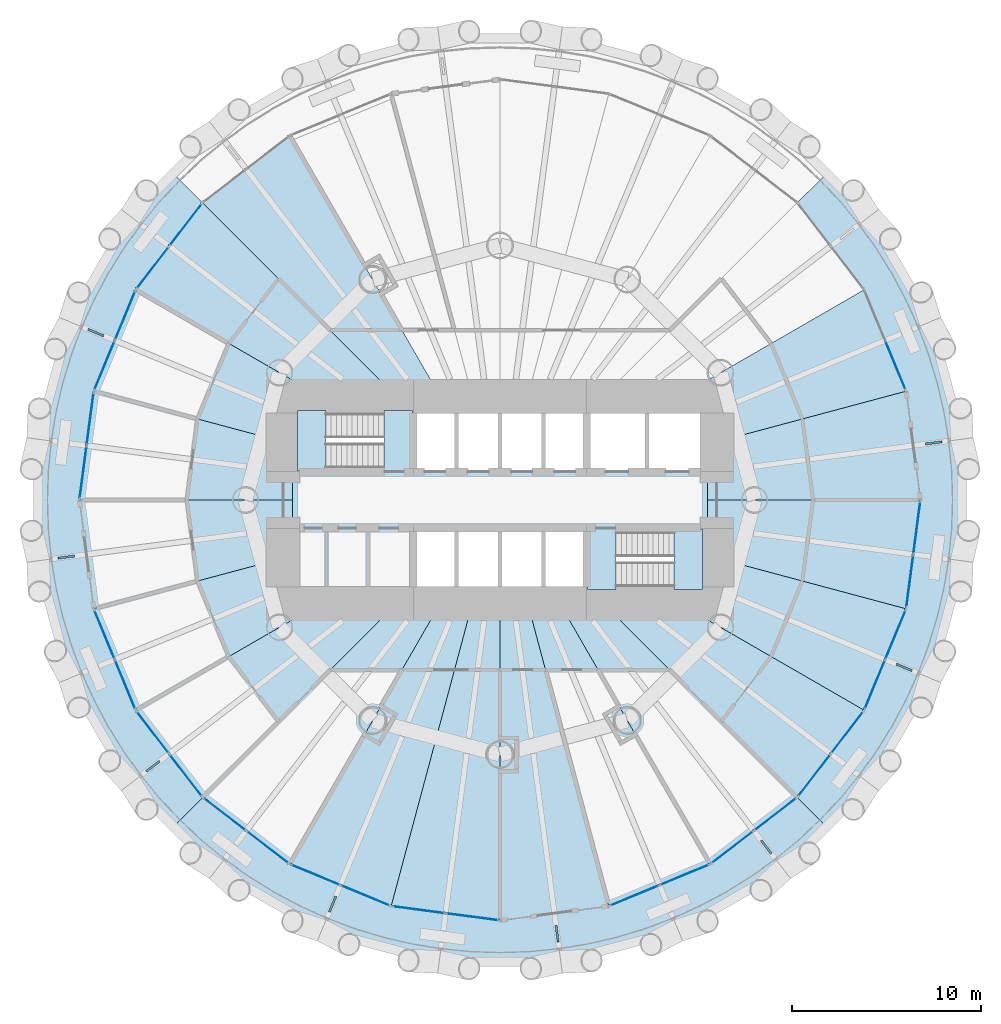
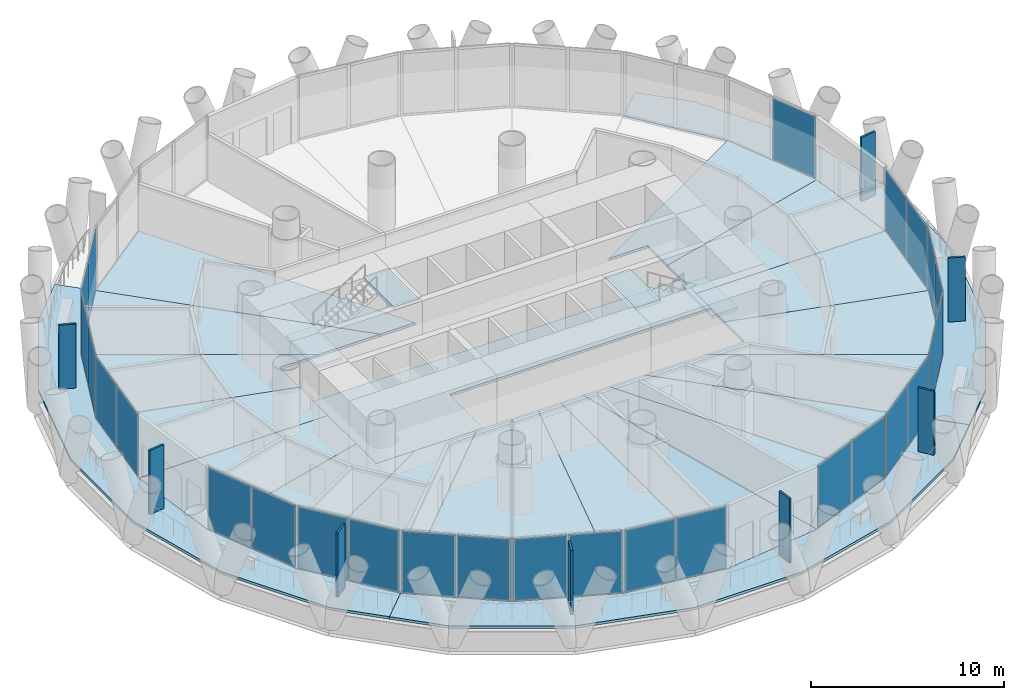
# One storey, part 7 of 15: 35 plates, 26 slabs, 16 elements without a shape of their own.
"""IFC4 building model written with IfcOpenShell, lengths in metres."""

from ifc_helpers import new_model, si_unit, direction, frame, origin, origin_2d, place, context, subcontext, project, spatial, polyline, rectangle, outline, extrude, material, layer, layer_set, type_object, element, aggregate, save


model = new_model("IFC4")

# Units and contexts
model_context = context("Model", 3, precision=1e-05, world=origin(), true_north=direction((0.0, 1.0)))
body_context = subcontext(model_context, "Body", "Model", "MODEL_VIEW")
ifc_project = project(units=[si_unit("LENGTHUNIT", "METRE"), si_unit("AREAUNIT", "SQUARE_METRE"), si_unit("VOLUMEUNIT", "CUBIC_METRE"), si_unit("PLANEANGLEUNIT", "RADIAN"), si_unit("MASSUNIT", "GRAM", prefix="KILO")], contexts=[model_context])

# Site, building, storey
site_placement = place(None, origin())
site = spatial("IfcSite", under=ifc_project, at=site_placement, CompositionType="ELEMENT")
building_placement = place(site_placement, origin())
building = spatial("IfcBuilding", under=site, at=building_placement, Name="Qaws Media Tower", CompositionType="ELEMENT")
storey_placement = place(building_placement, frame((0.0, 0.0, 51.199951171875)))
storey = spatial("IfcBuildingStorey", under=building, at=storey_placement, Name="L10", CompositionType="ELEMENT", Elevation=51.199951171875)

# Slabs
ifc_material_1 = material(Name="Concrete C35/45", Category="concrete")
ifc_layer_1 = layer(ifc_material_1, 0.159912109375)
ifc_layer_set_1 = layer_set([ifc_layer_1], Name="Composite balcony slab 160")
slab_type_1 = type_object("IfcSlabType", Name="Composite balcony slab 160", PredefinedType="FLOOR", material=ifc_layer_set_1)
slab_1_placement = place(storey_placement, frame((0.0, 0.0, -0.159912109375)))
element("IfcSlab", 1, at=slab_1_placement, inside=storey, type_object=slab_type_1, Name="S2 balcony slab L10 R10 to R16, movement joints on R10 and R16", PredefinedType="FLOOR", context=body_context, shape_type="SweptSolid", body=[
    extrude(outline(polyline([(40.404296875, 34.963623046875), (37.18017578125, 40.547607421875), (35.51123046875, 46.77587890625), (35.51123046875, 53.22412109375), (37.18017578125, 59.452392578125), (40.404296875, 65.036376953125), (42.683837890625, 67.316162109375), (44.2314453125, 65.7685546875), (40.6875, 61.14990234375), (38.4599609375, 55.771728515625), (37.699951171875, 50.0), (38.4599609375, 44.228271484375), (40.6875, 38.85009765625), (44.2314453125, 34.2314453125), (42.683837890625, 32.683837890625), (40.404296875, 34.963623046875)])), origin(), (0.0, 0.0, 1.0), 0.159912109375),
])
slab_2_placement = place(storey_placement, frame((0.0, 0.0, -0.159912109375)))
element("IfcSlab", 2, at=slab_2_placement, inside=storey, type_object=slab_type_1, Name="S2 balcony slab L10 R16 to R22, movement joints on R16 and R22", PredefinedType="FLOOR", context=body_context, shape_type="SweptSolid", body=[
    extrude(outline(polyline([(75.036376953125, 30.404296875), (69.452392578125, 27.18017578125), (63.22412109375, 25.51123046875), (56.77587890625, 25.51123046875), (50.547607421875, 27.18017578125), (44.963623046875, 30.404296875), (42.683837890625, 32.683837890625), (44.2314453125, 34.2314453125), (48.85009765625, 30.6875), (54.228271484375, 28.4599609375), (60.0, 27.699951171875), (65.771728515625, 28.4599609375), (71.14990234375, 30.6875), (75.7685546875, 34.2314453125), (77.316162109375, 32.683837890625), (75.036376953125, 30.404296875)])), origin(), (0.0, 0.0, 1.0), 0.159912109375),
])
slab_3_placement = place(storey_placement, frame((0.0, 0.0, -0.159912109375)))
element("IfcSlab", 3, at=slab_3_placement, inside=storey, type_object=slab_type_1, Name="S2 balcony slab L10 R22 to R04, movement joints on R22 and R04", PredefinedType="FLOOR", context=body_context, shape_type="SweptSolid", body=[
    extrude(outline(polyline([(82.81982421875, 40.547607421875), (79.595703125, 34.963623046875), (77.316162109375, 32.683837890625), (75.7685546875, 34.2314453125), (79.3125, 38.85009765625), (81.5400390625, 44.228271484375), (82.300048828125, 50.0), (81.5400390625, 55.771728515625), (79.3125, 61.14990234375), (75.7685546875, 65.7685546875), (77.316162109375, 67.316162109375), (79.595703125, 65.036376953125), (82.81982421875, 59.452392578125), (84.48876953125, 53.22412109375), (84.48876953125, 46.77587890625), (82.81982421875, 40.547607421875)])), origin(), (0.0, 0.0, 1.0), 0.159912109375),
])
ifc_material_2 = material(Name="Concrete C35/45", Category="concrete")
ifc_layer_2 = layer(ifc_material_2, 0.159912109375)
ifc_layer_set_2 = layer_set([ifc_layer_2], Name="Composite floor slab 160")
slab_type_2 = type_object("IfcSlabType", Name="Composite floor slab 160", PredefinedType="FLOOR", material=ifc_layer_set_2)
slab_4_placement = place(storey_placement, frame((0.0, 0.0, -0.159912109375)))
element("IfcSlab", 4, at=slab_4_placement, inside=storey, type_object=slab_type_2, Name="S1 core floor slab L10", PredefinedType="FLOOR", context=body_context, shape_type="SweptSolid", body=[
    extrude(outline(polyline([(71.0, 51.5), (71.0, 48.5), (55.39990234375, 48.5), (55.39990234375, 45.0), (49.0, 45.0), (49.0, 51.5), (71.0, 51.5)])), origin(), (0.0, 0.0, 1.0), 0.159912109375),
])
slab_5_placement = place(storey_placement, frame((0.0, 0.0, -0.159912109375)))
element("IfcSlab", 5, at=slab_5_placement, inside=storey, type_object=slab_type_2, Name="S1 floor panel L10 on R01+7.5", PredefinedType="FLOOR", context=body_context, shape_type="SweptSolid", body=[
    extrude(outline(polyline([(82.300048828125, 50.0), (71.0, 50.0), (71.0, 52.947509765625), (81.5400390625, 55.771728515625), (82.300048828125, 50.0)])), origin(), (0.0, 0.0, 1.0), 0.159912109375),
])
slab_6_placement = place(storey_placement, frame((0.0, 0.0, -0.159912109375)))
element("IfcSlab", 6, at=slab_6_placement, inside=storey, type_object=slab_type_2, Name="S1 floor panel L10 on R02+7.5", PredefinedType="FLOOR", context=body_context, shape_type="SweptSolid", body=[
    extrude(outline(polyline([(79.3125, 61.14990234375), (81.5400390625, 55.771728515625), (71.0, 52.947509765625), (71.0, 55.0), (68.660400390625, 55.0), (79.3125, 61.14990234375)])), origin(), (0.0, 0.0, 1.0), 0.159912109375),
])
slab_7_placement = place(storey_placement, frame((0.0, 0.0, -0.159912109375)))
element("IfcSlab", 7, at=slab_7_placement, inside=storey, type_object=slab_type_2, Name="S1 floor panel L10 on R09+7.5", PredefinedType="FLOOR", context=body_context, shape_type="SweptSolid", body=[
    extrude(outline(polyline([(48.85009765625, 69.3125), (57.11328125, 55.0), (55.0, 55.0), (44.2314453125, 65.7685546875), (48.85009765625, 69.3125)])), origin(), (0.0, 0.0, 1.0), 0.159912109375),
])
slab_8_placement = place(storey_placement, frame((0.0, 0.0, -0.159912109375)))
element("IfcSlab", 8, at=slab_8_placement, inside=storey, type_object=slab_type_2, Name="S1 floor panel L10 on R10+7.5", PredefinedType="FLOOR", context=body_context, shape_type="SweptSolid", body=[
    extrude(outline(polyline([(40.6875, 61.14990234375), (44.2314453125, 65.7685546875), (55.0, 55.0), (51.339599609375, 55.0), (40.6875, 61.14990234375)])), origin(), (0.0, 0.0, 1.0), 0.159912109375),
])
slab_9_placement = place(storey_placement, frame((0.0, 0.0, -0.159912109375)))
element("IfcSlab", 9, at=slab_9_placement, inside=storey, type_object=slab_type_2, Name="S1 floor panel L10 on R11+7.5", PredefinedType="FLOOR", context=body_context, shape_type="SweptSolid", body=[
    extrude(outline(polyline([(38.4599609375, 55.771728515625), (40.6875, 61.14990234375), (51.339599609375, 55.0), (49.0, 55.0), (49.0, 52.947509765625), (38.4599609375, 55.771728515625)])), origin(), (0.0, 0.0, 1.0), 0.159912109375),
])
slab_10_placement = place(storey_placement, frame((0.0, 0.0, -0.159912109375)))
element("IfcSlab", 10, at=slab_10_placement, inside=storey, type_object=slab_type_2, Name="S1 floor panel L10 on R12+7.5", PredefinedType="FLOOR", context=body_context, shape_type="SweptSolid", body=[
    extrude(outline(polyline([(38.4599609375, 55.771728515625), (49.0, 52.947509765625), (49.0, 50.0), (37.699951171875, 50.0), (38.4599609375, 55.771728515625)])), origin(), (0.0, 0.0, 1.0), 0.159912109375),
])
slab_11_placement = place(storey_placement, frame((0.0, 0.0, -0.159912109375)))
element("IfcSlab", 11, at=slab_11_placement, inside=storey, type_object=slab_type_2, Name="S1 floor panel L10 on R13+7.5", PredefinedType="FLOOR", context=body_context, shape_type="SweptSolid", body=[
    extrude(outline(polyline([(37.699951171875, 50.0), (49.0, 50.0), (49.0, 47.052490234375), (38.4599609375, 44.228271484375), (37.699951171875, 50.0)])), origin(), (0.0, 0.0, 1.0), 0.159912109375),
])
slab_12_placement = place(storey_placement, frame((0.0, 0.0, -0.159912109375)))
element("IfcSlab", 12, at=slab_12_placement, inside=storey, type_object=slab_type_2, Name="S1 floor panel L10 on R14+7.5", PredefinedType="FLOOR", context=body_context, shape_type="SweptSolid", body=[
    extrude(outline(polyline([(40.6875, 38.85009765625), (38.4599609375, 44.228271484375), (49.0, 47.052490234375), (49.0, 45.0), (51.339599609375, 45.0), (40.6875, 38.85009765625)])), origin(), (0.0, 0.0, 1.0), 0.159912109375),
])
slab_13_placement = place(storey_placement, frame((0.0, 0.0, -0.159912109375)))
element("IfcSlab", 13, at=slab_13_placement, inside=storey, type_object=slab_type_2, Name="S1 floor panel L10 on R15+7.5", PredefinedType="FLOOR", context=body_context, shape_type="SweptSolid", body=[
    extrude(outline(polyline([(40.6875, 38.85009765625), (51.339599609375, 45.0), (55.0, 45.0), (44.2314453125, 34.2314453125), (40.6875, 38.85009765625)])), origin(), (0.0, 0.0, 1.0), 0.159912109375),
])
slab_14_placement = place(storey_placement, frame((0.0, 0.0, -0.159912109375)))
element("IfcSlab", 14, at=slab_14_placement, inside=storey, type_object=slab_type_2, Name="S1 floor panel L10 on R16+7.5", PredefinedType="FLOOR", context=body_context, shape_type="SweptSolid", body=[
    extrude(outline(polyline([(44.2314453125, 34.2314453125), (55.0, 45.0), (57.11328125, 45.0), (48.85009765625, 30.6875), (44.2314453125, 34.2314453125)])), origin(), (0.0, 0.0, 1.0), 0.159912109375),
])
slab_15_placement = place(storey_placement, frame((0.0, 0.0, -0.159912109375)))
element("IfcSlab", 15, at=slab_15_placement, inside=storey, type_object=slab_type_2, Name="S1 floor panel L10 on R17+7.5", PredefinedType="FLOOR", context=body_context, shape_type="SweptSolid", body=[
    extrude(outline(polyline([(54.228271484375, 28.4599609375), (48.85009765625, 30.6875), (57.11328125, 45.0), (58.660400390625, 45.0), (54.228271484375, 28.4599609375)])), origin(), (0.0, 0.0, 1.0), 0.159912109375),
])
slab_16_placement = place(storey_placement, frame((0.0, 0.0, -0.159912109375)))
element("IfcSlab", 16, at=slab_16_placement, inside=storey, type_object=slab_type_2, Name="S1 floor panel L10 on R18+7.5", PredefinedType="FLOOR", context=body_context, shape_type="SweptSolid", body=[
    extrude(outline(polyline([(54.228271484375, 28.4599609375), (58.660400390625, 45.0), (60.0, 45.0), (60.0, 27.699951171875), (54.228271484375, 28.4599609375)])), origin(), (0.0, 0.0, 1.0), 0.159912109375),
])
slab_17_placement = place(storey_placement, frame((0.0, 0.0, -0.159912109375)))
element("IfcSlab", 17, at=slab_17_placement, inside=storey, type_object=slab_type_2, Name="S1 floor panel L10 on R19+7.5", PredefinedType="FLOOR", context=body_context, shape_type="SweptSolid", body=[
    extrude(outline(polyline([(60.0, 27.699951171875), (60.0, 45.0), (61.339599609375, 45.0), (65.771728515625, 28.4599609375), (60.0, 27.699951171875)])), origin(), (0.0, 0.0, 1.0), 0.159912109375),
])
slab_18_placement = place(storey_placement, frame((0.0, 0.0, -0.159912109375)))
element("IfcSlab", 18, at=slab_18_placement, inside=storey, type_object=slab_type_2, Name="S1 floor panel L10 on R20+7.5", PredefinedType="FLOOR", context=body_context, shape_type="SweptSolid", body=[
    extrude(outline(polyline([(71.14990234375, 30.6875), (65.771728515625, 28.4599609375), (61.339599609375, 45.0), (62.88671875, 45.0), (71.14990234375, 30.6875)])), origin(), (0.0, 0.0, 1.0), 0.159912109375),
])
slab_19_placement = place(storey_placement, frame((0.0, 0.0, -0.159912109375)))
element("IfcSlab", 19, at=slab_19_placement, inside=storey, type_object=slab_type_2, Name="S1 floor panel L10 on R21+7.5", PredefinedType="FLOOR", context=body_context, shape_type="SweptSolid", body=[
    extrude(outline(polyline([(75.7685546875, 34.2314453125), (71.14990234375, 30.6875), (62.88671875, 45.0), (65.0, 45.0), (75.7685546875, 34.2314453125)])), origin(), (0.0, 0.0, 1.0), 0.159912109375),
])
slab_20_placement = place(storey_placement, frame((0.0, 0.0, -0.159912109375)))
element("IfcSlab", 20, at=slab_20_placement, inside=storey, type_object=slab_type_2, Name="S1 floor panel L10 on R22+7.5", PredefinedType="FLOOR", context=body_context, shape_type="SweptSolid", body=[
    extrude(outline(polyline([(75.7685546875, 34.2314453125), (65.0, 45.0), (68.660400390625, 45.0), (79.3125, 38.85009765625), (75.7685546875, 34.2314453125)])), origin(), (0.0, 0.0, 1.0), 0.159912109375),
])
slab_21_placement = place(storey_placement, frame((0.0, 0.0, -0.159912109375)))
element("IfcSlab", 21, at=slab_21_placement, inside=storey, type_object=slab_type_2, Name="S1 floor panel L10 on R23+7.5", PredefinedType="FLOOR", context=body_context, shape_type="SweptSolid", body=[
    extrude(outline(polyline([(81.5400390625, 44.228271484375), (79.3125, 38.85009765625), (68.660400390625, 45.0), (71.0, 45.0), (71.0, 47.052490234375), (81.5400390625, 44.228271484375)])), origin(), (0.0, 0.0, 1.0), 0.159912109375),
])
slab_22_placement = place(storey_placement, frame((0.0, 0.0, -0.159912109375)))
element("IfcSlab", 22, at=slab_22_placement, inside=storey, type_object=slab_type_2, Name="S1 floor panel L10 on R24+7.5", PredefinedType="FLOOR", context=body_context, shape_type="SweptSolid", body=[
    extrude(outline(polyline([(81.5400390625, 44.228271484375), (71.0, 47.052490234375), (71.0, 50.0), (82.300048828125, 50.0), (81.5400390625, 44.228271484375)])), origin(), (0.0, 0.0, 1.0), 0.159912109375),
])

# Curtain wall, plate
ifc_material_3 = material(Name="Aluminium and clear glass", Category="aluminium")
curtain_wall_type = type_object("IfcCurtainWallType", Name="Unitised curtain wall CW-A", PredefinedType="NOTDEFINED", material=ifc_material_3)
curtain_wall_1_placement = place(storey_placement, origin())
curtain_wall_1 = element("IfcCurtainWall", 23, at=curtain_wall_1_placement, inside=storey, type_object=curtain_wall_type, Name="CWA curtain wall L10-02", PredefinedType="NOTDEFINED")
ifc_material_4 = material(Name="Clear laminated double glazing", Category="glass")
ifc_layer_3 = layer(ifc_material_4, 0.031982421875)
ifc_layer_set_3 = layer_set([ifc_layer_3], Name="Curtain wall glass unit 32")
plate_type_1 = type_object("IfcPlateType", Name="Curtain wall glass unit 32", PredefinedType="CURTAIN_PANEL", material=ifc_layer_set_3)
plate_1_placement = place(storey_placement, frame((80.9755859375, 57.134765625, 0.080078125), z_axis=(0.0, 0.0, 1.0), x_axis=(-0.382683388377, 0.923879550732, 0.0)))
plate_1 = element("IfcPlate", 24, at=plate_1_placement, type_object=plate_type_1, Name="CWA panel 1.1", PredefinedType="CURTAIN_PANEL", context=body_context, shape_type="SweptSolid", body=[
    extrude(rectangle(XDim=2.790771484375, YDim=0.031982421875, at=origin_2d()), origin(), (0.0, 0.0, 1.0), 3.8798828125),
])
aggregate(curtain_wall_1, [plate_1])

# Curtain wall, plates
curtain_wall_2_placement = place(storey_placement, origin())
curtain_wall_2 = element("IfcCurtainWall", 25, at=curtain_wall_2_placement, inside=storey, type_object=curtain_wall_type, Name="CWA curtain wall L10-10", PredefinedType="NOTDEFINED")
plate_2_placement = place(storey_placement, frame((43.333251953125, 64.597900390625, 0.080078125), z_axis=(0.0, 0.0, 1.0), x_axis=(-0.608761524717, -0.793353266852, 0.0)))
plate_2 = element("IfcPlate", 26, at=plate_2_placement, type_object=plate_type_1, Name="CWA panel 1.1", PredefinedType="CURTAIN_PANEL", context=body_context, shape_type="SweptSolid", body=[
    extrude(rectangle(XDim=2.790771484375, YDim=0.031982421875, at=origin_2d()), origin(), (0.0, 0.0, 1.0), 3.8798828125),
])
plate_3_placement = place(storey_placement, frame((41.585693359375, 62.320556640625, 0.080078125), z_axis=(0.0, 0.0, 1.0), x_axis=(-0.608761524717, -0.793353266852, 0.0)))
plate_3 = element("IfcPlate", 27, at=plate_3_placement, type_object=plate_type_1, Name="CWA panel 2.1", PredefinedType="CURTAIN_PANEL", context=body_context, shape_type="SweptSolid", body=[
    extrude(rectangle(XDim=2.790771484375, YDim=0.031982421875, at=origin_2d()), origin(), (0.0, 0.0, 1.0), 3.8798828125),
])
aggregate(curtain_wall_2, [plate_2, plate_3])

curtain_wall_3_placement = place(storey_placement, origin())
curtain_wall_3 = element("IfcCurtainWall", 28, at=curtain_wall_3_placement, inside=storey, type_object=curtain_wall_type, Name="CWA curtain wall L10-11", PredefinedType="NOTDEFINED")
plate_4_placement = place(storey_placement, frame((40.123046875, 59.786865234375, 0.080078125), z_axis=(0.0, 0.0, 1.0), x_axis=(-0.382683388377, -0.923879550732, 0.0)))
plate_4 = element("IfcPlate", 29, at=plate_4_placement, type_object=plate_type_1, Name="CWA panel 1.1", PredefinedType="CURTAIN_PANEL", context=body_context, shape_type="SweptSolid", body=[
    extrude(rectangle(XDim=2.790771484375, YDim=0.031982421875, at=origin_2d()), origin(), (0.0, 0.0, 1.0), 3.8798828125),
])
plate_5_placement = place(storey_placement, frame((39.0244140625, 57.134765625, 0.080078125), z_axis=(0.0, 0.0, 1.0), x_axis=(-0.382683388377, -0.923879550732, 0.0)))
plate_5 = element("IfcPlate", 30, at=plate_5_placement, type_object=plate_type_1, Name="CWA panel 2.1", PredefinedType="CURTAIN_PANEL", context=body_context, shape_type="SweptSolid", body=[
    extrude(rectangle(XDim=2.790771484375, YDim=0.031982421875, at=origin_2d()), origin(), (0.0, 0.0, 1.0), 3.8798828125),
])
aggregate(curtain_wall_3, [plate_4, plate_5])

curtain_wall_4_placement = place(storey_placement, origin())
curtain_wall_4 = element("IfcCurtainWall", 31, at=curtain_wall_4_placement, inside=storey, type_object=curtain_wall_type, Name="CWA curtain wall L10-12", PredefinedType="NOTDEFINED")
plate_6_placement = place(storey_placement, frame((38.267333984375, 54.308837890625, 0.080078125), z_axis=(0.0, 0.0, 1.0), x_axis=(-0.13052617322, -0.991444863875, 0.0)))
plate_6 = element("IfcPlate", 32, at=plate_6_placement, type_object=plate_type_1, Name="CWA panel 1.1", PredefinedType="CURTAIN_PANEL", context=body_context, shape_type="SweptSolid", body=[
    extrude(rectangle(XDim=2.790771484375, YDim=0.031982421875, at=origin_2d()), origin(), (0.0, 0.0, 1.0), 3.8798828125),
])
plate_7_placement = place(storey_placement, frame((37.892578125, 51.462646484375, 0.080078125), z_axis=(0.0, 0.0, 1.0), x_axis=(-0.13052617322, -0.991444863875, 0.0)))
plate_7 = element("IfcPlate", 33, at=plate_7_placement, type_object=plate_type_1, Name="CWA panel 2.1", PredefinedType="CURTAIN_PANEL", context=body_context, shape_type="SweptSolid", body=[
    extrude(rectangle(XDim=2.790771484375, YDim=0.031982421875, at=origin_2d()), origin(), (0.0, 0.0, 1.0), 3.8798828125),
])
aggregate(curtain_wall_4, [plate_6, plate_7])

curtain_wall_5_placement = place(storey_placement, origin())
curtain_wall_5 = element("IfcCurtainWall", 34, at=curtain_wall_5_placement, inside=storey, type_object=curtain_wall_type, Name="CWA curtain wall L10-14", PredefinedType="NOTDEFINED")
plate_8_placement = place(storey_placement, frame((39.0244140625, 42.865234375, 0.080078125), z_axis=(0.0, 0.0, 1.0), x_axis=(0.382683388377, -0.923879550732, 0.0)))
plate_8 = element("IfcPlate", 35, at=plate_8_placement, type_object=plate_type_1, Name="CWA panel 1.1", PredefinedType="CURTAIN_PANEL", context=body_context, shape_type="SweptSolid", body=[
    extrude(rectangle(XDim=2.790771484375, YDim=0.031982421875, at=origin_2d()), origin(), (0.0, 0.0, 1.0), 3.8798828125),
])
plate_9_placement = place(storey_placement, frame((40.123046875, 40.213134765625, 0.080078125), z_axis=(0.0, 0.0, 1.0), x_axis=(0.382683388377, -0.923879550732, 0.0)))
plate_9 = element("IfcPlate", 36, at=plate_9_placement, type_object=plate_type_1, Name="CWA panel 2.1", PredefinedType="CURTAIN_PANEL", context=body_context, shape_type="SweptSolid", body=[
    extrude(rectangle(XDim=2.790771484375, YDim=0.031982421875, at=origin_2d()), origin(), (0.0, 0.0, 1.0), 3.8798828125),
])
aggregate(curtain_wall_5, [plate_8, plate_9])

curtain_wall_6_placement = place(storey_placement, origin())
curtain_wall_6 = element("IfcCurtainWall", 37, at=curtain_wall_6_placement, inside=storey, type_object=curtain_wall_type, Name="CWA curtain wall L10-15", PredefinedType="NOTDEFINED")
plate_10_placement = place(storey_placement, frame((41.585693359375, 37.679443359375, 0.080078125), z_axis=(0.0, 0.0, 1.0), x_axis=(0.608761524717, -0.793353266852, 0.0)))
plate_10 = element("IfcPlate", 38, at=plate_10_placement, type_object=plate_type_1, Name="CWA panel 1.1", PredefinedType="CURTAIN_PANEL", context=body_context, shape_type="SweptSolid", body=[
    extrude(rectangle(XDim=2.790771484375, YDim=0.031982421875, at=origin_2d()), origin(), (0.0, 0.0, 1.0), 3.8798828125),
])
plate_11_placement = place(storey_placement, frame((43.333251953125, 35.402099609375, 0.080078125), z_axis=(0.0, 0.0, 1.0), x_axis=(0.608761524717, -0.793353266852, 0.0)))
plate_11 = element("IfcPlate", 39, at=plate_11_placement, type_object=plate_type_1, Name="CWA panel 2.1", PredefinedType="CURTAIN_PANEL", context=body_context, shape_type="SweptSolid", body=[
    extrude(rectangle(XDim=2.790771484375, YDim=0.031982421875, at=origin_2d()), origin(), (0.0, 0.0, 1.0), 3.8798828125),
])
aggregate(curtain_wall_6, [plate_10, plate_11])

curtain_wall_7_placement = place(storey_placement, origin())
curtain_wall_7 = element("IfcCurtainWall", 40, at=curtain_wall_7_placement, inside=storey, type_object=curtain_wall_type, Name="CWA curtain wall L10-16", PredefinedType="NOTDEFINED")
plate_12_placement = place(storey_placement, frame((45.402099609375, 33.333251953125, 0.080078125), z_axis=(0.0, 0.0, 1.0), x_axis=(0.793353266852, -0.608761524717, 0.0)))
plate_12 = element("IfcPlate", 41, at=plate_12_placement, type_object=plate_type_1, Name="CWA panel 1.1", PredefinedType="CURTAIN_PANEL", context=body_context, shape_type="SweptSolid", body=[
    extrude(rectangle(XDim=2.790771484375, YDim=0.031982421875, at=origin_2d()), origin(), (0.0, 0.0, 1.0), 3.8798828125),
])
plate_13_placement = place(storey_placement, frame((47.679443359375, 31.585693359375, 0.080078125), z_axis=(0.0, 0.0, 1.0), x_axis=(0.793353266852, -0.608761524717, 0.0)))
plate_13 = element("IfcPlate", 42, at=plate_13_placement, type_object=plate_type_1, Name="CWA panel 2.1", PredefinedType="CURTAIN_PANEL", context=body_context, shape_type="SweptSolid", body=[
    extrude(rectangle(XDim=2.790771484375, YDim=0.031982421875, at=origin_2d()), origin(), (0.0, 0.0, 1.0), 3.8798828125),
])
aggregate(curtain_wall_7, [plate_12, plate_13])

curtain_wall_8_placement = place(storey_placement, origin())
curtain_wall_8 = element("IfcCurtainWall", 43, at=curtain_wall_8_placement, inside=storey, type_object=curtain_wall_type, Name="CWA curtain wall L10-17", PredefinedType="NOTDEFINED")
plate_14_placement = place(storey_placement, frame((50.213134765625, 30.123046875, 0.080078125), z_axis=(0.0, 0.0, 1.0), x_axis=(0.923879550732, -0.382683388377, 0.0)))
plate_14 = element("IfcPlate", 44, at=plate_14_placement, type_object=plate_type_1, Name="CWA panel 1.1", PredefinedType="CURTAIN_PANEL", context=body_context, shape_type="SweptSolid", body=[
    extrude(rectangle(XDim=2.790771484375, YDim=0.031982421875, at=origin_2d()), origin(), (0.0, 0.0, 1.0), 3.8798828125),
])
plate_15_placement = place(storey_placement, frame((52.865234375, 29.0244140625, 0.080078125), z_axis=(0.0, 0.0, 1.0), x_axis=(0.923879550732, -0.382683388377, 0.0)))
plate_15 = element("IfcPlate", 45, at=plate_15_placement, type_object=plate_type_1, Name="CWA panel 2.1", PredefinedType="CURTAIN_PANEL", context=body_context, shape_type="SweptSolid", body=[
    extrude(rectangle(XDim=2.790771484375, YDim=0.031982421875, at=origin_2d()), origin(), (0.0, 0.0, 1.0), 3.8798828125),
])
aggregate(curtain_wall_8, [plate_14, plate_15])

curtain_wall_9_placement = place(storey_placement, origin())
curtain_wall_9 = element("IfcCurtainWall", 46, at=curtain_wall_9_placement, inside=storey, type_object=curtain_wall_type, Name="CWA curtain wall L10-18", PredefinedType="NOTDEFINED")
plate_16_placement = place(storey_placement, frame((55.691162109375, 28.267333984375, 0.080078125), z_axis=(0.0, 0.0, 1.0), x_axis=(0.991444863875, -0.13052617322, 0.0)))
plate_16 = element("IfcPlate", 47, at=plate_16_placement, type_object=plate_type_1, Name="CWA panel 1.1", PredefinedType="CURTAIN_PANEL", context=body_context, shape_type="SweptSolid", body=[
    extrude(rectangle(XDim=2.790771484375, YDim=0.031982421875, at=origin_2d()), origin(), (0.0, 0.0, 1.0), 3.8798828125),
])
plate_17_placement = place(storey_placement, frame((58.537353515625, 27.892578125, 0.080078125), z_axis=(0.0, 0.0, 1.0), x_axis=(0.991444863875, -0.13052617322, 0.0)))
plate_17 = element("IfcPlate", 48, at=plate_17_placement, type_object=plate_type_1, Name="CWA panel 2.1", PredefinedType="CURTAIN_PANEL", context=body_context, shape_type="SweptSolid", body=[
    extrude(rectangle(XDim=2.790771484375, YDim=0.031982421875, at=origin_2d()), origin(), (0.0, 0.0, 1.0), 3.8798828125),
])
aggregate(curtain_wall_9, [plate_16, plate_17])

curtain_wall_10_placement = place(storey_placement, origin())
curtain_wall_10 = element("IfcCurtainWall", 49, at=curtain_wall_10_placement, inside=storey, type_object=curtain_wall_type, Name="CWA curtain wall L10-20", PredefinedType="NOTDEFINED")
plate_18_placement = place(storey_placement, frame((67.134765625, 29.0244140625, 0.080078125), z_axis=(0.0, 0.0, 1.0), x_axis=(0.923879550732, 0.382683388377, 0.0)))
plate_18 = element("IfcPlate", 50, at=plate_18_placement, type_object=plate_type_1, Name="CWA panel 1.1", PredefinedType="CURTAIN_PANEL", context=body_context, shape_type="SweptSolid", body=[
    extrude(rectangle(XDim=2.790771484375, YDim=0.031982421875, at=origin_2d()), origin(), (0.0, 0.0, 1.0), 3.8798828125),
])
plate_19_placement = place(storey_placement, frame((69.786865234375, 30.123046875, 0.080078125), z_axis=(0.0, 0.0, 1.0), x_axis=(0.923879550732, 0.382683388377, 0.0)))
plate_19 = element("IfcPlate", 51, at=plate_19_placement, type_object=plate_type_1, Name="CWA panel 2.1", PredefinedType="CURTAIN_PANEL", context=body_context, shape_type="SweptSolid", body=[
    extrude(rectangle(XDim=2.790771484375, YDim=0.031982421875, at=origin_2d()), origin(), (0.0, 0.0, 1.0), 3.8798828125),
])
aggregate(curtain_wall_10, [plate_18, plate_19])

curtain_wall_11_placement = place(storey_placement, origin())
curtain_wall_11 = element("IfcCurtainWall", 52, at=curtain_wall_11_placement, inside=storey, type_object=curtain_wall_type, Name="CWA curtain wall L10-21", PredefinedType="NOTDEFINED")
plate_20_placement = place(storey_placement, frame((72.320556640625, 31.585693359375, 0.080078125), z_axis=(0.0, 0.0, 1.0), x_axis=(0.793353266852, 0.608761524717, 0.0)))
plate_20 = element("IfcPlate", 53, at=plate_20_placement, type_object=plate_type_1, Name="CWA panel 1.1", PredefinedType="CURTAIN_PANEL", context=body_context, shape_type="SweptSolid", body=[
    extrude(rectangle(XDim=2.790771484375, YDim=0.031982421875, at=origin_2d()), origin(), (0.0, 0.0, 1.0), 3.8798828125),
])
plate_21_placement = place(storey_placement, frame((74.597900390625, 33.333251953125, 0.080078125), z_axis=(0.0, 0.0, 1.0), x_axis=(0.793353266852, 0.608761524717, 0.0)))
plate_21 = element("IfcPlate", 54, at=plate_21_placement, type_object=plate_type_1, Name="CWA panel 2.1", PredefinedType="CURTAIN_PANEL", context=body_context, shape_type="SweptSolid", body=[
    extrude(rectangle(XDim=2.790771484375, YDim=0.031982421875, at=origin_2d()), origin(), (0.0, 0.0, 1.0), 3.8798828125),
])
aggregate(curtain_wall_11, [plate_20, plate_21])

curtain_wall_12_placement = place(storey_placement, origin())
curtain_wall_12 = element("IfcCurtainWall", 55, at=curtain_wall_12_placement, inside=storey, type_object=curtain_wall_type, Name="CWA curtain wall L10-22", PredefinedType="NOTDEFINED")
plate_22_placement = place(storey_placement, frame((76.666748046875, 35.402099609375, 0.080078125), z_axis=(0.0, 0.0, 1.0), x_axis=(0.608761524717, 0.793353266852, 0.0)))
plate_22 = element("IfcPlate", 56, at=plate_22_placement, type_object=plate_type_1, Name="CWA panel 1.1", PredefinedType="CURTAIN_PANEL", context=body_context, shape_type="SweptSolid", body=[
    extrude(rectangle(XDim=2.790771484375, YDim=0.031982421875, at=origin_2d()), origin(), (0.0, 0.0, 1.0), 3.8798828125),
])
plate_23_placement = place(storey_placement, frame((78.414306640625, 37.679443359375, 0.080078125), z_axis=(0.0, 0.0, 1.0), x_axis=(0.608761524717, 0.793353266852, 0.0)))
plate_23 = element("IfcPlate", 57, at=plate_23_placement, type_object=plate_type_1, Name="CWA panel 2.1", PredefinedType="CURTAIN_PANEL", context=body_context, shape_type="SweptSolid", body=[
    extrude(rectangle(XDim=2.790771484375, YDim=0.031982421875, at=origin_2d()), origin(), (0.0, 0.0, 1.0), 3.8798828125),
])
aggregate(curtain_wall_12, [plate_22, plate_23])

curtain_wall_13_placement = place(storey_placement, origin())
curtain_wall_13 = element("IfcCurtainWall", 58, at=curtain_wall_13_placement, inside=storey, type_object=curtain_wall_type, Name="CWA curtain wall L10-23", PredefinedType="NOTDEFINED")
plate_24_placement = place(storey_placement, frame((79.876953125, 40.213134765625, 0.080078125), z_axis=(0.0, 0.0, 1.0), x_axis=(0.382683388377, 0.923879550732, 0.0)))
plate_24 = element("IfcPlate", 59, at=plate_24_placement, type_object=plate_type_1, Name="CWA panel 1.1", PredefinedType="CURTAIN_PANEL", context=body_context, shape_type="SweptSolid", body=[
    extrude(rectangle(XDim=2.790771484375, YDim=0.031982421875, at=origin_2d()), origin(), (0.0, 0.0, 1.0), 3.8798828125),
])
plate_25_placement = place(storey_placement, frame((80.9755859375, 42.865234375, 0.080078125), z_axis=(0.0, 0.0, 1.0), x_axis=(0.382683388377, 0.923879550732, 0.0)))
plate_25 = element("IfcPlate", 60, at=plate_25_placement, type_object=plate_type_1, Name="CWA panel 2.1", PredefinedType="CURTAIN_PANEL", context=body_context, shape_type="SweptSolid", body=[
    extrude(rectangle(XDim=2.790771484375, YDim=0.031982421875, at=origin_2d()), origin(), (0.0, 0.0, 1.0), 3.8798828125),
])
aggregate(curtain_wall_13, [plate_24, plate_25])

curtain_wall_14_placement = place(storey_placement, origin())
curtain_wall_14 = element("IfcCurtainWall", 61, at=curtain_wall_14_placement, inside=storey, type_object=curtain_wall_type, Name="CWA curtain wall L10-24", PredefinedType="NOTDEFINED")
plate_26_placement = place(storey_placement, frame((81.732666015625, 45.691162109375, 0.080078125), z_axis=(0.0, 0.0, 1.0), x_axis=(0.13052617322, 0.991444863875, 0.0)))
plate_26 = element("IfcPlate", 62, at=plate_26_placement, type_object=plate_type_1, Name="CWA panel 1.1", PredefinedType="CURTAIN_PANEL", context=body_context, shape_type="SweptSolid", body=[
    extrude(rectangle(XDim=2.790771484375, YDim=0.031982421875, at=origin_2d()), origin(), (0.0, 0.0, 1.0), 3.8798828125),
])
plate_27_placement = place(storey_placement, frame((82.107421875, 48.537353515625, 0.080078125), z_axis=(0.0, 0.0, 1.0), x_axis=(0.13052617322, 0.991444863875, 0.0)))
plate_27 = element("IfcPlate", 63, at=plate_27_placement, type_object=plate_type_1, Name="CWA panel 2.1", PredefinedType="CURTAIN_PANEL", context=body_context, shape_type="SweptSolid", body=[
    extrude(rectangle(XDim=2.790771484375, YDim=0.031982421875, at=origin_2d()), origin(), (0.0, 0.0, 1.0), 3.8798828125),
])
aggregate(curtain_wall_14, [plate_26, plate_27])

# Plates
ifc_material_5 = material(Name="Precast concrete screen fin", Category="concrete")
ifc_layer_4 = layer(ifc_material_5, 0.1201171875)
ifc_layer_set_4 = layer_set([ifc_layer_4], Name="Screen fin 120x900")
plate_type_2 = type_object("IfcPlateType", Name="Screen fin 120x900", PredefinedType="USERDEFINED", material=ifc_layer_set_4)
for number, where, z_axis, x_axis, name in (
    (64, (83.00146484375, 53.0283203125, 0.0), (0.0, 0.0, 1.0), (0.991444861374, 0.13052619222, 0.0), "SCR1 screen fin L10-01"),
    (65, (38.56591796875, 58.878173828125, 0.0), (0.0, 0.0, 1.0), (-0.923879532511, 0.382683432365, 0.0), "SCR1 screen fin L10-06"),
    (66, (36.99853515625, 46.9716796875, 0.0), (0.0, 0.0, 1.0), (-0.991444861374, -0.13052619222, 0.0), "SCR1 screen fin L10-07"),
    (67, (41.59423828125, 35.876708984375, 0.0), (0.0, 0.0, 1.0), (-0.793353340291, -0.608761429009, 0.0), "SCR1 screen fin L10-08"),
    (68, (51.121826171875, 28.56591796875, 0.0), (0.0, 0.0, 1.0), (-0.382683432365, -0.923879532511, 0.0), "SCR1 screen fin L10-09"),
    (69, (63.0283203125, 26.99853515625, 0.0), (0.0, 0.0, 1.0), (0.13052619222, -0.991444861374, 0.0), "SCR1 screen fin L10-10"),
    (70, (74.123291015625, 31.59423828125, 0.0), (0.0, 0.0, 1.0), (0.608761429009, -0.793353340291, 0.0), "SCR1 screen fin L10-11"),
    (71, (81.43408203125, 41.121826171875, 0.0), (0.0, 0.0, 1.0), (0.923879532511, -0.382683432365, 0.0), "SCR1 screen fin L10-12"),
):
    element("IfcPlate", number, at=place(storey_placement, frame(where, z_axis=z_axis, x_axis=x_axis)), inside=storey, type_object=plate_type_2, Name=name, ObjectType="SCREEN", PredefinedType="USERDEFINED", context=body_context, shape_type="SweptSolid", body=[
        extrude(rectangle(XDim=0.89990234375, YDim=0.1201171875, at=origin_2d()), origin(), (0.0, 0.0, 1.0), 4.0400390625),
    ])

# Stair, slabs
ifc_material_6 = material(Name="Concrete C40/50", Category="concrete")
stair_type = type_object("IfcStairType", Name="Exit stair", PredefinedType="HALF_TURN_STAIR", material=ifc_material_6)
stair_1_placement = place(storey_placement, origin())
stair_1 = element("IfcStair", 72, at=stair_1_placement, inside=storey, type_object=stair_type, Name="S1 exit stair L10", PredefinedType="HALF_TURN_STAIR")
ifc_material_7 = material(Name="Concrete C40/50", Category="concrete")
ifc_layer_5 = layer(ifc_material_7, 0.199951171875)
ifc_layer_set_5 = layer_set([ifc_layer_5], Name="Stair landing 200")
slab_type_3 = type_object("IfcSlabType", Name="Stair landing 200", PredefinedType="LANDING", material=ifc_layer_set_5)
slab_23_placement = place(storey_placement, frame((0.0, 0.0, 1.900146484375)))
slab_23 = element("IfcSlab", 73, at=slab_23_placement, type_object=slab_type_3, Name="S1 landing 1", PredefinedType="LANDING", context=body_context, shape_type="SweptSolid", body=[
    extrude(outline(polyline([(49.25, 51.550048828125), (50.760009765625, 51.550048828125), (50.760009765625, 54.75), (49.25, 54.75), (49.25, 51.550048828125)])), origin(), (0.0, 0.0, 1.0), 0.199951171875),
])
slab_24_placement = place(storey_placement, frame((0.0, 0.0, 4.0)))
slab_24 = element("IfcSlab", 74, at=slab_24_placement, type_object=slab_type_3, Name="S1 landing 2", PredefinedType="LANDING", context=body_context, shape_type="SweptSolid", body=[
    extrude(outline(polyline([(53.840087890625, 51.550048828125), (55.35009765625, 51.550048828125), (55.35009765625, 54.75), (53.840087890625, 54.75), (53.840087890625, 51.550048828125)])), origin(), (0.0, 0.0, 1.0), 0.199951171875),
])
aggregate(stair_1, [slab_23, slab_24])

stair_2_placement = place(storey_placement, origin())
stair_2 = element("IfcStair", 75, at=stair_2_placement, inside=storey, type_object=stair_type, Name="S2 exit stair L10", PredefinedType="HALF_TURN_STAIR")
slab_25_placement = place(storey_placement, frame((0.0, 0.0, 1.900146484375)))
slab_25 = element("IfcSlab", 76, at=slab_25_placement, type_object=slab_type_3, Name="S2 landing 1", PredefinedType="LANDING", context=body_context, shape_type="SweptSolid", body=[
    extrude(outline(polyline([(69.239990234375, 45.25), (70.75, 45.25), (70.75, 48.449951171875), (69.239990234375, 48.449951171875), (69.239990234375, 45.25)])), origin(), (0.0, 0.0, 1.0), 0.199951171875),
])
slab_26_placement = place(storey_placement, frame((0.0, 0.0, 4.0)))
slab_26 = element("IfcSlab", 77, at=slab_26_placement, type_object=slab_type_3, Name="S2 landing 2", PredefinedType="LANDING", context=body_context, shape_type="SweptSolid", body=[
    extrude(outline(polyline([(64.64990234375, 45.25), (66.159912109375, 45.25), (66.159912109375, 48.449951171875), (64.64990234375, 48.449951171875), (64.64990234375, 45.25)])), origin(), (0.0, 0.0, 1.0), 0.199951171875),
])
aggregate(stair_2, [slab_25, slab_26])

save(model, "model.ifc")
